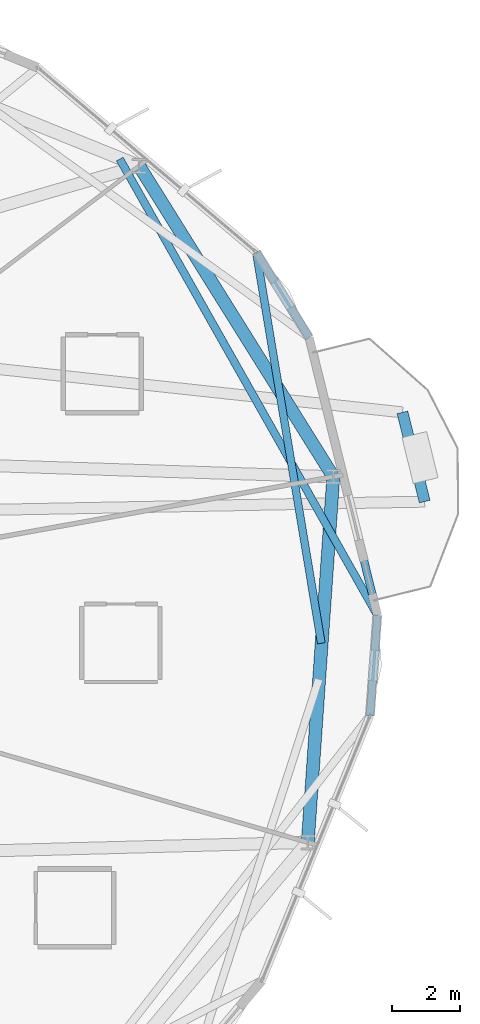
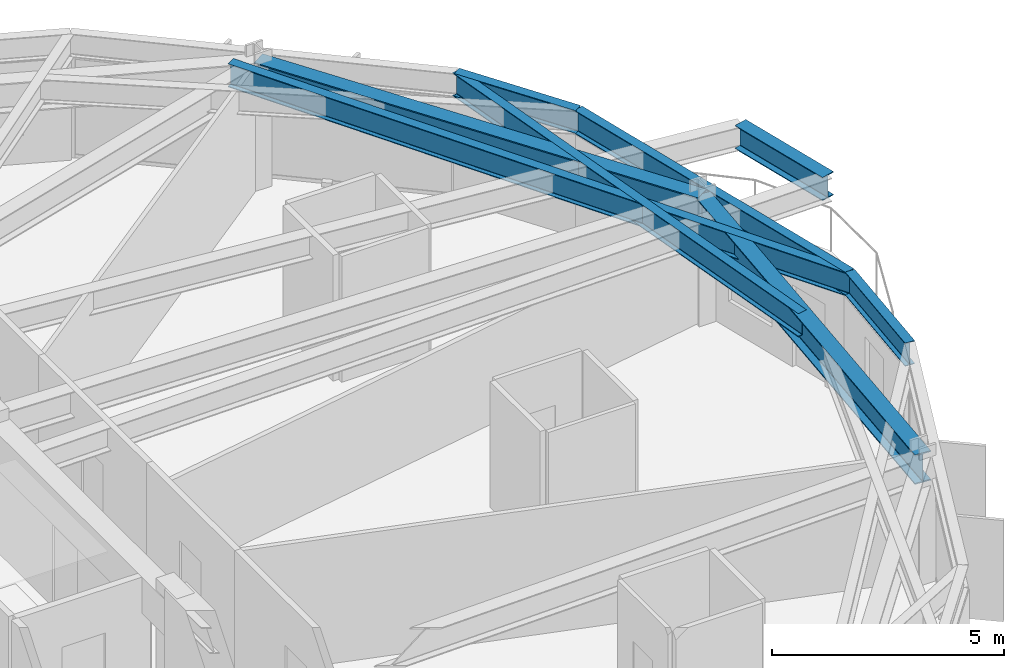
# One storey, part 9 of 21: 8 beams.
"""IFC4 building model written with IfcOpenShell, lengths in metres."""

from ifc_helpers import new_model, si_unit, direction, frame, origin, origin_2d, place, context, subcontext, project, spatial, i_section, extrude, material, material_profile, profile_set, type_object, element, save


model = new_model("IFC4")

# Units and contexts
model_context = context("Model", 3, precision=1e-05, world=origin(), true_north=direction((0.0, 1.0)))
body_context = subcontext(model_context, "Body", "Model", "MODEL_VIEW")
ifc_project = project(units=[si_unit("LENGTHUNIT", "METRE"), si_unit("AREAUNIT", "SQUARE_METRE"), si_unit("VOLUMEUNIT", "CUBIC_METRE"), si_unit("PLANEANGLEUNIT", "RADIAN"), si_unit("MASSUNIT", "GRAM", prefix="KILO")], contexts=[model_context])

# Site, building, storey
site_placement = place(None, origin())
site = spatial("IfcSite", under=ifc_project, at=site_placement, CompositionType="ELEMENT")
building_placement = place(site_placement, origin())
building = spatial("IfcBuilding", under=site, at=building_placement, Name="Soratama Intermodal Tower", CompositionType="ELEMENT")
storey_placement = place(building_placement, frame((0.0, 0.0, 153.39990234375)))
storey = spatial("IfcBuildingStorey", under=building, at=storey_placement, Name="L37", CompositionType="ELEMENT", Elevation=153.39990234375)

# Beams
ifc_material_1 = material(Name="Structural steel ASTM A992 Grade 50", Category="steel")
ifc_material_profile_1 = material_profile(ifc_material_1, i_section(OverallWidth=0.324951171875, OverallDepth=0.615966796875, WebThickness=0.013916015625, FlangeThickness=0.021484375, FilletRadius=0.013916015625, at=origin_2d()), Name="W24X117")
ifc_profile_set_1 = profile_set([ifc_material_profile_1], Name="Structural steel ASTM A992 Grade 50")
beam_type_1 = type_object("IfcBeamType", Name="BM-CANT-W24X117", PredefinedType="BEAM", material=ifc_profile_set_1)
beam_1_placement = place(storey_placement, frame((64.676025390625, 28.5, 2.9921875), z_axis=(-0.241667874817, 0.970359025455, 0.0), x_axis=(-0.970359025455, -0.241667874817, 0.0)))
element("IfcBeam", 1, at=beam_1_placement, inside=storey, type_object=beam_type_1, Name="BM-L37-CBHDR-1", PredefinedType="BEAM", context=body_context, shape_type="SweptSolid", body=[
    extrude(i_section(OverallWidth=0.324951171875, OverallDepth=0.615966796875, WebThickness=0.013916015625, FlangeThickness=0.021484375, FilletRadius=0.013916015625, at=origin_2d()), origin(), (0.0, 0.0, 1.0), 2.714599609375),
])
ifc_material_2 = material(Name="Structural steel ASTM A992 Grade 50", Category="steel")
ifc_material_profile_2 = material_profile(ifc_material_2, i_section(OverallWidth=0.382080078125, OverallDepth=0.779052734375, WebThickness=0.01806640625, FlangeThickness=0.030029296875, FilletRadius=0.01806640625, at=origin_2d()), Name="W30X191")
ifc_profile_set_2 = profile_set([ifc_material_profile_2], Name="Structural steel ASTM A992 Grade 50")
beam_type_2 = type_object("IfcBeamType", Name="BM-RING-W30X191", PredefinedType="BEAM", material=ifc_profile_set_2)
beam_2_placement = place(storey_placement, frame((61.97998046875, 29.23388671875, 2.91064453125), z_axis=(-0.529891394359, 0.84806551055, 0.0), x_axis=(-0.84806551055, -0.529891394359, 0.0)))
element("IfcBeam", 2, at=beam_2_placement, inside=storey, type_object=beam_type_2, Name="BM-L37-RING-01", PredefinedType="BEAM", context=body_context, shape_type="SweptSolid", body=[
    extrude(i_section(OverallWidth=0.382080078125, OverallDepth=0.779052734375, WebThickness=0.01806640625, FlangeThickness=0.030029296875, FilletRadius=0.01806640625, at=origin_2d()), origin(), (0.0, 0.0, 1.0), 10.8154296875),
])
beam_3_placement = place(storey_placement, frame((61.22607421875, 18.444091796875, 2.91064453125), z_axis=(0.069702217409, 0.99756784275, 0.0), x_axis=(-0.99756784275, 0.069702217409, 0.0)))
element("IfcBeam", 3, at=beam_3_placement, inside=storey, type_object=beam_type_2, Name="BM-L37-RING-10", PredefinedType="BEAM", context=body_context, shape_type="SweptSolid", body=[
    extrude(i_section(OverallWidth=0.382080078125, OverallDepth=0.779052734375, WebThickness=0.01806640625, FlangeThickness=0.030029296875, FilletRadius=0.01806640625, at=origin_2d()), origin(), (0.0, 0.0, 1.0), 10.816162109375),
])
ifc_material_3 = material(Name="Structural steel ASTM A992 Grade 50", Category="steel")
ifc_material_profile_3 = material_profile(ifc_material_3, i_section(OverallWidth=0.22900390625, OverallDepth=0.612060546875, WebThickness=0.011962890625, FlangeThickness=0.01953125, FilletRadius=0.012939453125, at=origin_2d()), Name="W24X84")
ifc_profile_set_3 = profile_set([ifc_material_profile_3], Name="Structural steel ASTM A992 Grade 50")
beam_type_3 = type_object("IfcBeamType", Name="BM-SPN-W24X84", PredefinedType="SPANDREL", material=ifc_profile_set_3)
beam_4_placement = place(storey_placement, frame((63.06396484375, 22.18603515625, 2.994140625), z_axis=(0.073480684809, 0.997296640403, 0.0), x_axis=(-0.997296640403, 0.073480684809, 0.0)))
element("IfcBeam", 4, at=beam_4_placement, inside=storey, type_object=beam_type_3, Name="BS-L37-CRN09", PredefinedType="SPANDREL", context=body_context, shape_type="SweptSolid", body=[
    extrude(i_section(OverallWidth=0.22900390625, OverallDepth=0.612060546875, WebThickness=0.011962890625, FlangeThickness=0.01953125, FilletRadius=0.012939453125, at=origin_2d()), origin(), (0.0, 0.0, 1.0), 2.967041015625),
])
beam_5_placement = place(storey_placement, frame((63.281982421875, 25.14501953125, 2.994140625), z_axis=(-0.238593169717, 0.971119611255, 0.0), x_axis=(-0.971119611255, -0.238593169717, 0.0)))
element("IfcBeam", 5, at=beam_5_placement, inside=storey, type_object=beam_type_3, Name="BS-L37-F10", PredefinedType="SPANDREL", context=body_context, shape_type="SweptSolid", body=[
    extrude(i_section(OverallWidth=0.22900390625, OverallDepth=0.612060546875, WebThickness=0.011962890625, FlangeThickness=0.01953125, FilletRadius=0.012939453125, at=origin_2d()), origin(), (0.0, 0.0, 1.0), 8.440673828125),
])
beam_6_placement = place(storey_placement, frame((61.26806640625, 33.342041015625, 2.994140625), z_axis=(-0.526932534418, 0.849907115026, 0.0), x_axis=(-0.849907115026, -0.526932534418, 0.0)))
element("IfcBeam", 6, at=beam_6_placement, inside=storey, type_object=beam_type_3, Name="BS-L37-CRN10", PredefinedType="SPANDREL", context=body_context, shape_type="SweptSolid", body=[
    extrude(i_section(OverallWidth=0.22900390625, OverallDepth=0.612060546875, WebThickness=0.011962890625, FlangeThickness=0.01953125, FilletRadius=0.012939453125, at=origin_2d()), origin(), (0.0, 0.0, 1.0), 2.96630859375),
])
ifc_material_4 = material(Name="Structural steel ASTM A992 Grade 50", Category="steel")
ifc_material_profile_4 = material_profile(ifc_material_4, i_section(OverallWidth=0.22900390625, OverallDepth=0.612060546875, WebThickness=0.011962890625, FlangeThickness=0.01953125, FilletRadius=0.012939453125, at=origin_2d()), Name="W24X84")
ifc_profile_set_4 = profile_set([ifc_material_profile_4], Name="Structural steel ASTM A992 Grade 50")
beam_type_4 = type_object("IfcBeamType", Name="BM-TIE-W24X84", PredefinedType="BEAM", material=ifc_profile_set_4)
beam_7_placement = place(storey_placement, frame((61.626953125, 24.319091796875, 2.994140625), z_axis=(-0.164223070064, 0.98642322725, 0.0), x_axis=(-0.98642322725, -0.164223070064, 0.0)))
element("IfcBeam", 7, at=beam_7_placement, inside=storey, type_object=beam_type_4, Name="BM-L37-TIE0-01", PredefinedType="BEAM", context=body_context, shape_type="SweptSolid", body=[
    extrude(i_section(OverallWidth=0.22900390625, OverallDepth=0.612060546875, WebThickness=0.011962890625, FlangeThickness=0.01953125, FilletRadius=0.012939453125, at=origin_2d()), origin(), (0.0, 0.0, 1.0), 11.702880859375),
])
beam_8_placement = place(storey_placement, frame((55.677978515625, 38.60888671875, 2.994140625), z_axis=(0.491762757742, -0.870729228921, 0.0), x_axis=(0.870729228921, 0.491762757742, 0.0)))
element("IfcBeam", 8, at=beam_8_placement, inside=storey, type_object=beam_type_4, Name="BM-L37-TIE0-10", PredefinedType="BEAM", context=body_context, shape_type="SweptSolid", body=[
    extrude(i_section(OverallWidth=0.22900390625, OverallDepth=0.612060546875, WebThickness=0.011962890625, FlangeThickness=0.01953125, FilletRadius=0.012939453125, at=origin_2d()), origin(), (0.0, 0.0, 1.0), 15.462646484375),
])

save(model, "model.ifc")
